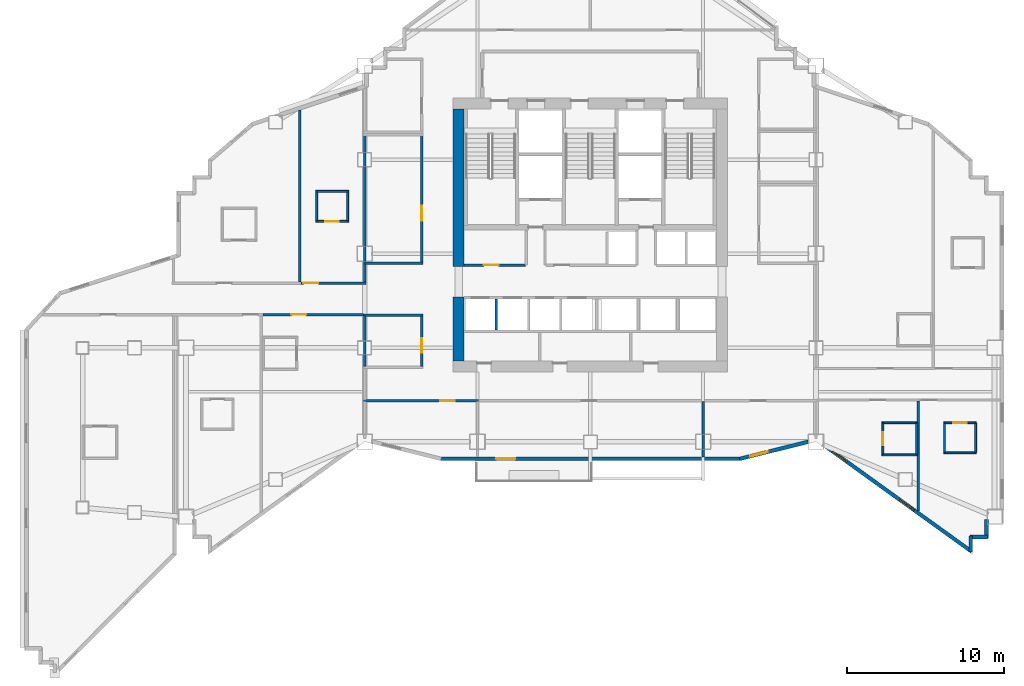
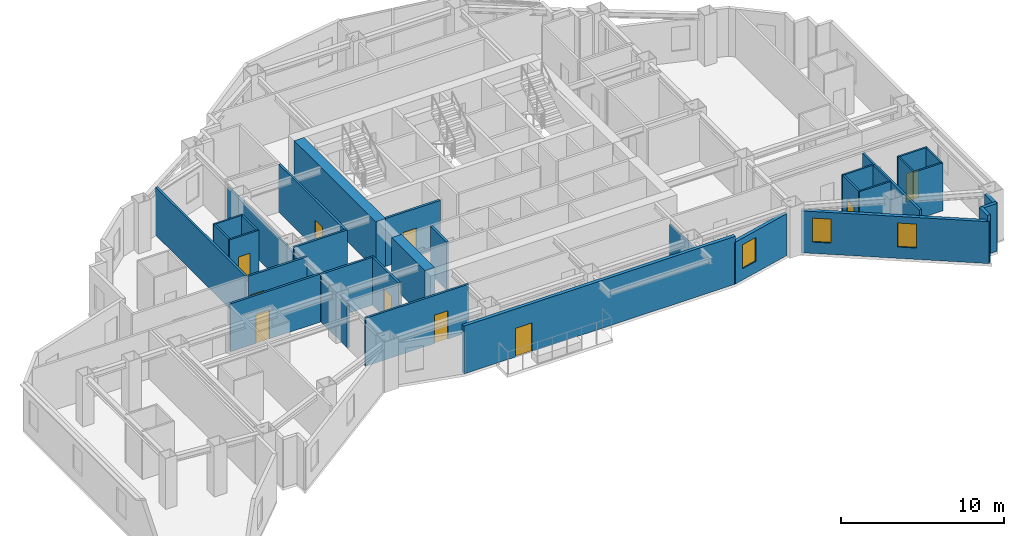
# One storey, part 6 of 14: 35 walls, 10 doors, 3 windows, 13 openings.
"""IFC4 building model written with IfcOpenShell, lengths in metres."""

from ifc_helpers import new_model, si_unit, direction, frame, frame_2d, origin, place, context, subcontext, project, spatial, rectangle, extrude, material, layer, layer_set, type_object, element, fill, save


model = new_model("IFC4")

# Units and contexts
model_context = context("Model", 3, precision=1e-05, world=origin(), true_north=direction((0.0, 1.0)))
body_context = subcontext(model_context, "Body", "Model", "MODEL_VIEW")
ifc_project = project(units=[si_unit("LENGTHUNIT", "METRE"), si_unit("AREAUNIT", "SQUARE_METRE"), si_unit("VOLUMEUNIT", "CUBIC_METRE"), si_unit("PLANEANGLEUNIT", "RADIAN"), si_unit("MASSUNIT", "GRAM", prefix="KILO")], contexts=[model_context])

# Site, building, storey
site_placement = place(None, origin())
site = spatial("IfcSite", under=ifc_project, at=site_placement, CompositionType="ELEMENT")
building_placement = place(site_placement, origin())
building = spatial("IfcBuilding", under=site, at=building_placement, Name="Haolan Belvedere Tower", CompositionType="ELEMENT")
storey_placement = place(building_placement, frame((0.0, 0.0, 113.60009765625)))
storey = spatial("IfcBuildingStorey", under=building, at=storey_placement, Name="L28", CompositionType="ELEMENT", Elevation=113.60009765625)

# Walls
ifc_material_1 = material(Name="Concrete C60/75", Category="concrete")
ifc_layer_1 = layer(ifc_material_1, 0.699951171875, Name="Concrete C60/75")
ifc_layer_set_1 = layer_set([ifc_layer_1], Name="Concrete C60/75")
wall_type_1 = type_object("IfcWallType", Name="WL-CORE-700", PredefinedType="SHEAR", material=ifc_layer_set_1)
wall_1_placement = place(storey_placement, frame((30.0, 26.75, 0.0), z_axis=(0.0, 0.0, 1.0), x_axis=(0.0, 1.0, 0.0)))
element("IfcWall", 1, at=wall_1_placement, inside=storey, type_object=wall_type_1, Name="L28 central core shear wall WS", PredefinedType="SHEAR", context=body_context, shape_type="SweptSolid", body=[
    extrude(rectangle(XDim=4.10009765625, YDim=0.699951171875, at=frame_2d((2.050048828125, 0.0))), origin(), (0.0, 0.0, 1.0), 3.599853515625),
])
wall_2_placement = place(storey_placement, frame((30.0, 32.800048828125, 0.0), z_axis=(0.0, 0.0, 1.0), x_axis=(0.0, 1.0, 0.0)))
element("IfcWall", 2, at=wall_2_placement, inside=storey, type_object=wall_type_1, Name="L28 central core shear wall WN", PredefinedType="SHEAR", context=body_context, shape_type="SweptSolid", body=[
    extrude(rectangle(XDim=10.050048828125, YDim=0.699951171875, at=frame_2d((5.02490234375, 0.0))), origin(), (0.0, 0.0, 1.0), 3.599853515625),
])

# Wall, opening, door
ifc_material_2 = material(Name="Precast concrete C40/50", Category="concrete")
ifc_layer_2 = layer(ifc_material_2, 0.239990234375, Name="Precast concrete C40/50")
ifc_layer_set_2 = layer_set([ifc_layer_2], Name="Precast concrete C40/50")
wall_type_2 = type_object("IfcWallType", Name="WL-EXT-240", PredefinedType="SOLIDWALL", material=ifc_layer_set_2)
wall_3_placement = place(storey_placement, frame((28.759765625, 20.52001953125, 0.0), z_axis=(0.0, 0.0, 1.0), x_axis=(1.0, 0.0, 0.0)))
wall_3 = element("IfcWall", 3, at=wall_3_placement, inside=storey, type_object=wall_type_2, Name="L28 pale-metal exterior spandrel wall 7.1", PredefinedType="SOLIDWALL", context=body_context, shape_type="SweptSolid", body=[
    extrude(rectangle(XDim=19.280517578125, YDim=0.239990234375, at=frame_2d((9.64013671875, 0.0))), origin(), (0.0, 0.0, 1.0), 3.599853515625),
])
opening_1_placement = place(wall_3_placement, frame((4.840087890625, 0.0, 0.0), z_axis=(0.0, 0.0, 1.0), x_axis=(-1.0, 0.0, 0.0)))
opening_1 = element("IfcOpeningElement", 4, at=opening_1_placement, cuts=wall_3, Name="Opening BD-01", PredefinedType="OPENING", context=body_context, shape_type="SweptSolid", body=[
    extrude(rectangle(XDim=1.199951171875, YDim=2.14990234375, at=frame_2d((0.60009765625, 1.074951171875))), frame((0.0, 0.1298828125, 0.0), z_axis=(0.0, -1.0, 0.0), x_axis=(1.0, 0.0, 0.0)), (0.0, 0.0, 1.0), 0.260009765625),
])
ifc_material_3 = material(Name="Thermally broken pale-metal aluminium and Low-E glass", Category="aluminium")
door_type_1 = type_object("IfcDoorType", Name="DR-BAL-1200", OperationType="NOTDEFINED", PredefinedType="DOOR", material=ifc_material_3)
door_1_placement = place(opening_1_placement, origin())
door_1 = element("IfcDoor", 5, at=door_1_placement, inside=storey, type_object=door_type_1, Name="L28 tree-balcony access door 1", OperationType="SINGLE_SWING_RIGHT", OverallHeight=2.14990234375, OverallWidth=1.199951171875, PredefinedType="DOOR", context=body_context, shape_type="SweptSolid", body=[
    extrude(rectangle(XDim=1.199951171875, YDim=2.14990234375, at=frame_2d((0.60009765625, 1.074951171875))), frame((0.0, 0.02490234375, 0.0), z_axis=(0.0, -1.0, 0.0), x_axis=(1.0, 0.0, 0.0)), (0.0, 0.0, 1.0), 0.050048828125),
])
fill(opening_1, door_1)

# Wall, opening, window
wall_4_placement = place(storey_placement, frame((47.931884765625, 20.506591796875, 0.0), z_axis=(0.0, 0.0, 1.0), x_axis=(0.970145683738, 0.242522890311, 0.0)))
wall_4 = element("IfcWall", 6, at=wall_4_placement, inside=storey, type_object=wall_type_2, Name="L28 pale-metal exterior spandrel wall 8.1", PredefinedType="SOLIDWALL", context=body_context, shape_type="SweptSolid", body=[
    extrude(rectangle(XDim=4.510986328125, YDim=0.239990234375, at=frame_2d((2.25537109375, 0.0))), origin(), (0.0, 0.0, 1.0), 3.14501953125),
])
opening_2_placement = place(wall_4_placement, frame((0.699951171875, 0.0, 0.85009765625)))
opening_2 = element("IfcOpeningElement", 7, at=opening_2_placement, cuts=wall_4, Name="Opening W-02", PredefinedType="OPENING", context=body_context, shape_type="SweptSolid", body=[
    extrude(rectangle(XDim=1.14990234375, YDim=1.800048828125, at=frame_2d((0.574951171875, 0.89990234375))), frame((0.0, 0.1298828125, 0.0), z_axis=(0.0, -1.0, 0.0), x_axis=(1.0, 0.0, 0.0)), (0.0, 0.0, 1.0), 0.260009765625),
])
ifc_material_4 = material(Name="Anodised aluminium 6063-T6 and Low-E glass", Category="aluminium")
window_type = type_object("IfcWindowType", Name="WN-DECO-Z2", PartitioningType="SINGLE_PANEL", PredefinedType="WINDOW", material=ifc_material_4)
window_1_placement = place(opening_2_placement, origin())
window_1 = element("IfcWindow", 8, at=window_1_placement, inside=storey, type_object=window_type, Name="L28 Art Deco chevron window 1", OverallHeight=1.800048828125, OverallWidth=1.14990234375, PartitioningType="SINGLE_PANEL", PredefinedType="WINDOW", context=body_context, shape_type="SweptSolid", body=[
    extrude(rectangle(XDim=1.14990234375, YDim=1.800048828125, at=frame_2d((0.574951171875, 0.89990234375))), frame((0.0, 0.030029296875, 0.0), z_axis=(0.0, -1.0, 0.0), x_axis=(1.0, 0.0, 0.0)), (0.0, 0.0, 1.0), 0.06005859375),
])
fill(opening_2, window_1)

# Wall, openings, windows
wall_5_placement = place(storey_placement, frame((53.2919921875, 21.3935546875, 0.0), z_axis=(0.0, 0.0, 1.0), x_axis=(0.811543504691, -0.584291998913, 0.0)))
wall_5 = element("IfcWall", 9, at=wall_5_placement, inside=storey, type_object=wall_type_2, Name="L28 pale-metal exterior spandrel wall 9.1", PredefinedType="SOLIDWALL", context=body_context, shape_type="SweptSolid", body=[
    extrude(rectangle(XDim=11.623046875, YDim=0.239990234375, at=frame_2d((5.8115234375, 0.0))), origin(), (0.0, 0.0, 1.0), 3.14501953125),
])
opening_3_placement = place(wall_5_placement, frame((0.699951171875, 0.0, 0.85009765625)))
opening_3 = element("IfcOpeningElement", 10, at=opening_3_placement, cuts=wall_5, Name="Opening W-02", PredefinedType="OPENING", context=body_context, shape_type="SweptSolid", body=[
    extrude(rectangle(XDim=1.14990234375, YDim=1.800048828125, at=frame_2d((0.574951171875, 0.89990234375))), frame((0.0, 0.1298828125, 0.0), z_axis=(0.0, -1.0, 0.0), x_axis=(1.0, 0.0, 0.0)), (0.0, 0.0, 1.0), 0.260009765625),
])
opening_4_placement = place(wall_5_placement, frame((5.96728515625, 0.0, 0.85009765625)))
opening_4 = element("IfcOpeningElement", 11, at=opening_4_placement, cuts=wall_5, Name="Opening W-02", PredefinedType="OPENING", context=body_context, shape_type="SweptSolid", body=[
    extrude(rectangle(XDim=1.14990234375, YDim=1.800048828125, at=frame_2d((0.574951171875, 0.89990234375))), frame((0.0, 0.1298828125, 0.0), z_axis=(0.0, -1.0, 0.0), x_axis=(1.0, 0.0, 0.0)), (0.0, 0.0, 1.0), 0.260009765625),
])
window_2_placement = place(opening_3_placement, origin())
window_2 = element("IfcWindow", 12, at=window_2_placement, inside=storey, type_object=window_type, Name="L28 Art Deco chevron window 1", OverallHeight=1.800048828125, OverallWidth=1.14990234375, PartitioningType="SINGLE_PANEL", PredefinedType="WINDOW", context=body_context, shape_type="SweptSolid", body=[
    extrude(rectangle(XDim=1.14990234375, YDim=1.800048828125, at=frame_2d((0.574951171875, 0.89990234375))), frame((0.0, 0.030029296875, 0.0), z_axis=(0.0, -1.0, 0.0), x_axis=(1.0, 0.0, 0.0)), (0.0, 0.0, 1.0), 0.06005859375),
])
fill(opening_3, window_2)
window_3_placement = place(opening_4_placement, origin())
window_3 = element("IfcWindow", 13, at=window_3_placement, inside=storey, type_object=window_type, Name="L28 Art Deco chevron window 2", OverallHeight=1.800048828125, OverallWidth=1.14990234375, PartitioningType="SINGLE_PANEL", PredefinedType="WINDOW", context=body_context, shape_type="SweptSolid", body=[
    extrude(rectangle(XDim=1.14990234375, YDim=1.800048828125, at=frame_2d((0.574951171875, 0.89990234375))), frame((0.0, 0.030029296875, 0.0), z_axis=(0.0, -1.0, 0.0), x_axis=(1.0, 0.0, 0.0)), (0.0, 0.0, 1.0), 0.06005859375),
])
fill(opening_4, window_3)

# Walls
wall_6_placement = place(storey_placement, frame((62.679931640625, 14.579345703125, 0.0), z_axis=(0.0, 0.0, 1.0), x_axis=(0.0, 1.0, 0.0)))
element("IfcWall", 14, at=wall_6_placement, inside=storey, type_object=wall_type_2, Name="L28 pale-metal exterior spandrel wall 10.1", PredefinedType="SOLIDWALL", context=body_context, shape_type="SweptSolid", body=[
    extrude(rectangle(XDim=0.99560546875, YDim=0.239990234375, at=frame_2d((0.497802734375, 0.0))), origin(), (0.0, 0.0, 1.0), 3.599853515625),
])
wall_7_placement = place(storey_placement, frame((62.625, 15.52001953125, 0.0), z_axis=(0.0, 0.0, 1.0), x_axis=(1.0, 0.0, 0.0)))
element("IfcWall", 15, at=wall_7_placement, inside=storey, type_object=wall_type_2, Name="L28 pale-metal exterior spandrel wall 11.1", PredefinedType="SOLIDWALL", context=body_context, shape_type="SweptSolid", body=[
    extrude(rectangle(XDim=1.110107421875, YDim=0.239990234375, at=frame_2d((0.55517578125, 0.0))), origin(), (0.0, 0.0, 1.0), 3.599853515625),
])
wall_8_placement = place(storey_placement, frame((63.679931640625, 15.465087890625, 0.0), z_axis=(0.0, 0.0, 1.0), x_axis=(0.0, 1.0, 0.0)))
element("IfcWall", 16, at=wall_8_placement, inside=storey, type_object=wall_type_2, Name="L28 pale-metal exterior spandrel wall 12.1", PredefinedType="SOLIDWALL", context=body_context, shape_type="SweptSolid", body=[
    extrude(rectangle(XDim=1.1748046875, YDim=0.239990234375, at=frame_2d((0.58740234375, 0.0))), origin(), (0.0, 0.0, 1.0), 3.599853515625),
])
ifc_material_5 = material(Name="Double gypsum acoustic stud partition", Category="masonry")
ifc_layer_3 = layer(ifc_material_5, 0.14990234375, Name="Double gypsum acoustic stud partition")
ifc_layer_set_3 = layer_set([ifc_layer_3], Name="Double gypsum acoustic stud partition")
wall_type_3 = type_object("IfcWallType", Name="WL-PART-150", PredefinedType="PARTITIONING", material=ifc_layer_set_3)
wall_9_placement = place(storey_placement, frame((23.919921875, 33.0, 0.0), z_axis=(0.0, 0.0, 1.0), x_axis=(1.0, 0.0, 0.0)))
element("IfcWall", 17, at=wall_9_placement, inside=storey, type_object=wall_type_3, Name="L28 interior partition IW-L28-SAL-S", PredefinedType="PARTITIONING", context=body_context, shape_type="SweptSolid", body=[
    extrude(rectangle(XDim=3.800048828125, YDim=0.14990234375, at=frame_2d((1.89990234375, 0.0))), origin(), (0.0, 0.0, 1.0), 3.599853515625),
])
wall_10_placement = place(storey_placement, frame((24.0, 33.06005859375, 0.0), z_axis=(0.0, 0.0, 1.0), x_axis=(0.0, 1.0, 0.0)))
element("IfcWall", 18, at=wall_10_placement, inside=storey, type_object=wall_type_3, Name="L28 interior partition IW-L28-SAL-W", PredefinedType="PARTITIONING", context=body_context, shape_type="SweptSolid", body=[
    extrude(rectangle(XDim=8.079833984375, YDim=0.14990234375, at=frame_2d((4.0400390625, 0.0))), origin(), (0.0, 0.0, 1.0), 3.14501953125),
])

# Wall, opening, door
wall_11_placement = place(storey_placement, frame((27.639892578125, 33.06005859375, 0.0), z_axis=(0.0, 0.0, 1.0), x_axis=(0.0, 1.0, 0.0)))
wall_11 = element("IfcWall", 19, at=wall_11_placement, inside=storey, type_object=wall_type_3, Name="L28 interior partition IW-L28-SAL-E", PredefinedType="PARTITIONING", context=body_context, shape_type="SweptSolid", body=[
    extrude(rectangle(XDim=8.079833984375, YDim=0.14990234375, at=frame_2d((4.0400390625, 0.0))), origin(), (0.0, 0.0, 1.0), 3.599853515625),
])
opening_5_placement = place(wall_11_placement, frame((3.60986328125, 0.0, 0.0), z_axis=(0.0, 0.0, 1.0), x_axis=(-1.0, 0.0, 0.0)))
opening_5 = element("IfcOpeningElement", 20, at=opening_5_placement, cuts=wall_11, Name="Opening ID-03", PredefinedType="OPENING", context=body_context, shape_type="SweptSolid", body=[
    extrude(rectangle(XDim=0.949951171875, YDim=2.1201171875, at=frame_2d((0.47509765625, 1.06005859375))), frame((0.0, 0.0849609375, 0.0), z_axis=(0.0, -1.0, 0.0), x_axis=(1.0, 0.0, 0.0)), (0.0, 0.0, 1.0), 0.169921875),
])
ifc_material_6 = material(Name="Painted solid-core timber", Category="wood")
door_type_2 = type_object("IfcDoorType", Name="DR-INT-950", OperationType="NOTDEFINED", PredefinedType="DOOR", material=ifc_material_6)
door_2_placement = place(opening_5_placement, origin())
door_2 = element("IfcDoor", 21, at=door_2_placement, inside=storey, type_object=door_type_2, Name="L28 door ID-L28-SAL", OperationType="SINGLE_SWING_LEFT", OverallHeight=2.1201171875, OverallWidth=0.949951171875, PredefinedType="DOOR", context=body_context, shape_type="SweptSolid", body=[
    extrude(rectangle(XDim=0.949951171875, YDim=2.1201171875, at=frame_2d((0.47509765625, 1.06005859375))), frame((0.0, 0.02490234375, 0.0), z_axis=(0.0, -1.0, 0.0), x_axis=(1.0, 0.0, 0.0)), (0.0, 0.0, 1.0), 0.050048828125),
])
fill(opening_5, door_2)

# Walls
wall_12_placement = place(storey_placement, frame((23.919921875, 29.679931640625, 0.0), z_axis=(0.0, 0.0, 1.0), x_axis=(1.0, 0.0, 0.0)))
element("IfcWall", 22, at=wall_12_placement, inside=storey, type_object=wall_type_3, Name="L28 interior partition IW-L28-PKTW-N", PredefinedType="PARTITIONING", context=body_context, shape_type="SweptSolid", body=[
    extrude(rectangle(XDim=3.800048828125, YDim=0.14990234375, at=frame_2d((1.89990234375, 0.0))), origin(), (0.0, 0.0, 1.0), 3.599853515625),
])
wall_13_placement = place(storey_placement, frame((24.0, 26.409912109375, 0.0), z_axis=(0.0, 0.0, 1.0), x_axis=(0.0, 1.0, 0.0)))
element("IfcWall", 23, at=wall_13_placement, inside=storey, type_object=wall_type_3, Name="L28 interior partition IW-L28-PKTW-W", PredefinedType="PARTITIONING", context=body_context, shape_type="SweptSolid", body=[
    extrude(rectangle(XDim=3.210205078125, YDim=0.14990234375, at=frame_2d((1.60498046875, 0.0))), origin(), (0.0, 0.0, 1.0), 3.14501953125),
])

# Wall, opening, door
wall_14_placement = place(storey_placement, frame((27.639892578125, 26.409912109375, 0.0), z_axis=(0.0, 0.0, 1.0), x_axis=(0.0, 1.0, 0.0)))
wall_14 = element("IfcWall", 24, at=wall_14_placement, inside=storey, type_object=wall_type_3, Name="L28 interior partition IW-L28-PKTW-E", PredefinedType="PARTITIONING", context=body_context, shape_type="SweptSolid", body=[
    extrude(rectangle(XDim=3.210205078125, YDim=0.14990234375, at=frame_2d((1.60498046875, 0.0))), origin(), (0.0, 0.0, 1.0), 3.599853515625),
])
opening_6_placement = place(wall_14_placement, frame((1.81005859375, 0.0, 0.0), z_axis=(0.0, 0.0, 1.0), x_axis=(-1.0, 0.0, 0.0)))
opening_6 = element("IfcOpeningElement", 25, at=opening_6_placement, cuts=wall_14, Name="Opening ID-03", PredefinedType="OPENING", context=body_context, shape_type="SweptSolid", body=[
    extrude(rectangle(XDim=0.949951171875, YDim=2.1201171875, at=frame_2d((0.47509765625, 1.06005859375))), frame((0.0, 0.0849609375, 0.0), z_axis=(0.0, -1.0, 0.0), x_axis=(1.0, 0.0, 0.0)), (0.0, 0.0, 1.0), 0.169921875),
])
door_3_placement = place(opening_6_placement, origin())
door_3 = element("IfcDoor", 26, at=door_3_placement, inside=storey, type_object=door_type_2, Name="L28 door ID-L28-PKTW", OperationType="SINGLE_SWING_LEFT", OverallHeight=2.1201171875, OverallWidth=0.949951171875, PredefinedType="DOOR", context=body_context, shape_type="SweptSolid", body=[
    extrude(rectangle(XDim=0.949951171875, YDim=2.1201171875, at=frame_2d((0.47509765625, 1.06005859375))), frame((0.0, 0.02490234375, 0.0), z_axis=(0.0, -1.0, 0.0), x_axis=(1.0, 0.0, 0.0)), (0.0, 0.0, 1.0), 0.050048828125),
])
fill(opening_6, door_3)

wall_15_placement = place(storey_placement, frame((23.919921875, 24.219970703125, 0.0), z_axis=(0.0, 0.0, 1.0), x_axis=(1.0, 0.0, 0.0)))
wall_15 = element("IfcWall", 27, at=wall_15_placement, inside=storey, type_object=wall_type_3, Name="L28 interior partition IW-L28-KS1-N", PredefinedType="PARTITIONING", context=body_context, shape_type="SweptSolid", body=[
    extrude(rectangle(XDim=7.360107421875, YDim=0.14990234375, at=frame_2d((3.68017578125, 0.0))), origin(), (0.0, 0.0, 1.0), 3.599853515625),
])
opening_7_placement = place(wall_15_placement, frame((5.844970703125, 0.0, 0.0), z_axis=(0.0, 0.0, 1.0), x_axis=(-1.0, 0.0, 0.0)))
opening_7 = element("IfcOpeningElement", 28, at=opening_7_placement, cuts=wall_15, Name="Opening ID-03", PredefinedType="OPENING", context=body_context, shape_type="SweptSolid", body=[
    extrude(rectangle(XDim=0.949951171875, YDim=2.1201171875, at=frame_2d((0.47509765625, 1.06005859375))), frame((0.0, 0.0849609375, 0.0), z_axis=(0.0, -1.0, 0.0), x_axis=(1.0, 0.0, 0.0)), (0.0, 0.0, 1.0), 0.169921875),
])
door_4_placement = place(opening_7_placement, origin())
door_4 = element("IfcDoor", 29, at=door_4_placement, inside=storey, type_object=door_type_2, Name="L28 door ID-L28-KS1", OperationType="SINGLE_SWING_RIGHT", OverallHeight=2.1201171875, OverallWidth=0.949951171875, PredefinedType="DOOR", context=body_context, shape_type="SweptSolid", body=[
    extrude(rectangle(XDim=0.949951171875, YDim=2.1201171875, at=frame_2d((0.47509765625, 1.06005859375))), frame((0.0, 0.02490234375, 0.0), z_axis=(0.0, -1.0, 0.0), x_axis=(1.0, 0.0, 0.0)), (0.0, 0.0, 1.0), 0.050048828125),
])
fill(opening_7, door_4)

# Walls
wall_16_placement = place(storey_placement, frame((45.60009765625, 20.625, 0.0), z_axis=(0.0, 0.0, 1.0), x_axis=(0.0, 1.0, 0.0)))
element("IfcWall", 30, at=wall_16_placement, inside=storey, type_object=wall_type_3, Name="L28 interior partition IW-L28-KS2-E", PredefinedType="PARTITIONING", context=body_context, shape_type="SweptSolid", body=[
    extrude(rectangle(XDim=3.534912109375, YDim=0.14990234375, at=frame_2d((1.767578125, 0.0))), origin(), (0.0, 0.0, 1.0), 3.0849609375),
])
wall_17_placement = place(storey_placement, frame((19.85009765625, 31.7900390625, 0.0), z_axis=(0.0, 0.0, 1.0), x_axis=(0.0, 1.0, 0.0)))
element("IfcWall", 31, at=wall_17_placement, inside=storey, type_object=wall_type_3, Name="L28 interior partition IW-L28-T2N1-E", PredefinedType="PARTITIONING", context=body_context, shape_type="SweptSolid", body=[
    extrude(rectangle(XDim=10.989501953125, YDim=0.14990234375, at=frame_2d((5.49462890625, 0.0))), origin(), (0.0, 0.0, 1.0), 3.599853515625),
])

# Wall, opening, door
wall_18_placement = place(storey_placement, frame((19.951904296875, 31.72998046875, 0.0), z_axis=(0.0, 0.0, 1.0), x_axis=(1.0, 0.0, 0.0)))
wall_18 = element("IfcWall", 32, at=wall_18_placement, inside=storey, type_object=wall_type_3, Name="L28 interior partition IW-L28-T2N2-S", PredefinedType="PARTITIONING", context=body_context, shape_type="SweptSolid", body=[
    extrude(rectangle(XDim=4.148193359375, YDim=0.14990234375, at=frame_2d((2.07421875, 0.0))), origin(), (0.0, 0.0, 1.0), 3.599853515625),
])
opening_8_placement = place(wall_18_placement, frame((0.139892578125, 0.0, 0.0)))
opening_8 = element("IfcOpeningElement", 33, at=opening_8_placement, cuts=wall_18, Name="Opening ID-02", PredefinedType="OPENING", context=body_context, shape_type="SweptSolid", body=[
    extrude(rectangle(XDim=0.949951171875, YDim=2.14990234375, at=frame_2d((0.47509765625, 1.074951171875))), frame((0.0, 0.0849609375, 0.0), z_axis=(0.0, -1.0, 0.0), x_axis=(1.0, 0.0, 0.0)), (0.0, 0.0, 1.0), 0.169921875),
])
ifc_material_7 = material(Name="Acoustic oak veneer fire-rated timber", Category="wood")
door_type_3 = type_object("IfcDoorType", Name="DR-GUEST-950", OperationType="NOTDEFINED", PredefinedType="DOOR", material=ifc_material_7)
door_5_placement = place(opening_8_placement, origin())
door_5 = element("IfcDoor", 34, at=door_5_placement, inside=storey, type_object=door_type_3, Name="L28 door ID-L28-T2N2-ENT", OperationType="SINGLE_SWING_RIGHT", OverallHeight=2.14990234375, OverallWidth=0.949951171875, PredefinedType="DOOR", context=body_context, shape_type="SweptSolid", body=[
    extrude(rectangle(XDim=0.949951171875, YDim=2.14990234375, at=frame_2d((0.47509765625, 1.074951171875))), frame((0.0, 0.02490234375, 0.0), z_axis=(0.0, -1.0, 0.0), x_axis=(1.0, 0.0, 0.0)), (0.0, 0.0, 1.0), 0.050048828125),
])
fill(opening_8, door_5)

# Wall
wall_19_placement = place(storey_placement, frame((24.0, 31.7900390625, 0.0), z_axis=(0.0, 0.0, 1.0), x_axis=(0.0, 1.0, 0.0)))
element("IfcWall", 35, at=wall_19_placement, inside=storey, type_object=wall_type_3, Name="L28 interior partition IW-L28-T2N2-E", PredefinedType="PARTITIONING", context=body_context, shape_type="SweptSolid", body=[
    extrude(rectangle(XDim=1.14990234375, YDim=0.14990234375, at=frame_2d((0.574951171875, 0.0))), origin(), (0.0, 0.0, 1.0), 3.14501953125),
])

# Wall, opening, door
wall_20_placement = place(storey_placement, frame((17.511962890625, 29.719970703125, 0.0), z_axis=(0.0, 0.0, 1.0), x_axis=(1.0, 0.0, 0.0)))
wall_20 = element("IfcWall", 36, at=wall_20_placement, inside=storey, type_object=wall_type_3, Name="L28 interior partition IW-L28-T2S2-N", PredefinedType="PARTITIONING", context=body_context, shape_type="SweptSolid", body=[
    extrude(rectangle(XDim=6.406005859375, YDim=0.14990234375, at=frame_2d((3.203125, 0.0))), origin(), (0.0, 0.0, 1.0), 3.599853515625),
])
opening_9_placement = place(wall_20_placement, frame((2.754638671875, 0.0, 0.0), z_axis=(0.0, 0.0, 1.0), x_axis=(-1.0, 0.0, 0.0)))
opening_9 = element("IfcOpeningElement", 37, at=opening_9_placement, cuts=wall_20, Name="Opening ID-01", PredefinedType="OPENING", context=body_context, shape_type="SweptSolid", body=[
    extrude(rectangle(XDim=0.949951171875, YDim=2.179931640625, at=frame_2d((0.47509765625, 1.08984375))), frame((0.0, 0.0849609375, 0.0), z_axis=(0.0, -1.0, 0.0), x_axis=(1.0, 0.0, 0.0)), (0.0, 0.0, 1.0), 0.169921875),
])
ifc_material_8 = material(Name="Acoustic walnut veneer fire-rated timber", Category="wood")
door_type_4 = type_object("IfcDoorType", Name="DR-SUITE-950", OperationType="NOTDEFINED", PredefinedType="DOOR", material=ifc_material_8)
door_6_placement = place(opening_9_placement, origin())
door_6 = element("IfcDoor", 38, at=door_6_placement, inside=storey, type_object=door_type_4, Name="L28 door ID-L28-T2S2-ENT", OperationType="SINGLE_SWING_RIGHT", OverallHeight=2.179931640625, OverallWidth=0.949951171875, PredefinedType="DOOR", context=body_context, shape_type="SweptSolid", body=[
    extrude(rectangle(XDim=0.949951171875, YDim=2.179931640625, at=frame_2d((0.47509765625, 1.08984375))), frame((0.0, 0.02490234375, 0.0), z_axis=(0.0, -1.0, 0.0), x_axis=(1.0, 0.0, 0.0)), (0.0, 0.0, 1.0), 0.050048828125),
])
fill(opening_9, door_6)

# Wall
wall_21_placement = place(storey_placement, frame((59.320068359375, 17.182861328125, 0.0), z_axis=(0.0, 0.0, 1.0), x_axis=(0.0, 1.0, 0.0)))
element("IfcWall", 39, at=wall_21_placement, inside=storey, type_object=wall_type_3, Name="L28 interior partition IW-L28-T4S1-E", PredefinedType="PARTITIONING", context=body_context, shape_type="SweptSolid", body=[
    extrude(rectangle(XDim=7.027099609375, YDim=0.14990234375, at=frame_2d((3.513671875, 0.0))), origin(), (0.0, 0.0, 1.0), 3.599853515625),
])

# Wall, opening, door
ifc_material_9 = material(Name="Gypsum fire shaftwall assembly", Category="masonry")
ifc_layer_4 = layer(ifc_material_9, 0.1650390625, Name="Gypsum fire shaftwall assembly")
ifc_layer_set_4 = layer_set([ifc_layer_4], Name="Gypsum fire shaftwall assembly")
wall_type_4 = type_object("IfcWallType", Name="WL-SHAFT-160", PredefinedType="SOLIDWALL", material=ifc_layer_set_4)
wall_22_placement = place(storey_placement, frame((30.35009765625, 32.8798828125, 0.0), z_axis=(0.0, 0.0, 1.0), x_axis=(1.0, 0.0, 0.0)))
wall_22 = element("IfcWall", 40, at=wall_22_placement, inside=storey, type_object=wall_type_4, Name="L28 interior partition IW-L28-ROW-PN1", PredefinedType="SOLIDWALL", context=body_context, shape_type="SweptSolid", body=[
    extrude(rectangle(XDim=3.89990234375, YDim=0.159912109375, at=frame_2d((1.949951171875, 0.0))), origin(), (0.0, 0.0, 1.0), 3.599853515625),
])
opening_10_placement = place(wall_22_placement, frame((2.199951171875, 0.0, 0.0), z_axis=(0.0, 0.0, 1.0), x_axis=(-1.0, 0.0, 0.0)))
opening_10 = element("IfcOpeningElement", 41, at=opening_10_placement, cuts=wall_22, Name="Opening ID-03", PredefinedType="OPENING", context=body_context, shape_type="SweptSolid", body=[
    extrude(rectangle(XDim=0.949951171875, YDim=2.1201171875, at=frame_2d((0.47509765625, 1.06005859375))), frame((0.0, 0.08984375, 0.0), z_axis=(0.0, -1.0, 0.0), x_axis=(1.0, 0.0, 0.0)), (0.0, 0.0, 1.0), 0.179931640625),
])
door_7_placement = place(opening_10_placement, origin())
door_7 = element("IfcDoor", 42, at=door_7_placement, inside=storey, type_object=door_type_2, Name="L28 door ID-L28-CD-RPLW", OperationType="SINGLE_SWING_LEFT", OverallHeight=2.1201171875, OverallWidth=0.949951171875, PredefinedType="DOOR", context=body_context, shape_type="SweptSolid", body=[
    extrude(rectangle(XDim=0.949951171875, YDim=2.1201171875, at=frame_2d((0.47509765625, 1.06005859375))), frame((0.0, 0.02490234375, 0.0), z_axis=(0.0, -1.0, 0.0), x_axis=(1.0, 0.0, 0.0)), (0.0, 0.0, 1.0), 0.050048828125),
])
fill(opening_10, door_7)

# Walls
wall_23_placement = place(storey_placement, frame((32.39990234375, 28.735107421875, 0.0), z_axis=(0.0, 0.0, 1.0), x_axis=(0.0, 1.0, 0.0)))
element("IfcWall", 43, at=wall_23_placement, inside=storey, type_object=wall_type_4, Name="L28 interior partition IW-L28-DIV-PM1", PredefinedType="SOLIDWALL", context=body_context, shape_type="SweptSolid", body=[
    extrude(rectangle(XDim=1.98486328125, YDim=0.14990234375, at=frame_2d((0.992431640625, 0.0))), origin(), (0.0, 0.0, 1.0), 3.599853515625),
])
ifc_material_10 = material(Name="Moisture-resistant gypsum tile partition", Category="masonry")
ifc_layer_5 = layer(ifc_material_10, 0.1201171875, Name="Moisture-resistant gypsum tile partition")
ifc_layer_set_5 = layer_set([ifc_layer_5], Name="Moisture-resistant gypsum tile partition")
wall_type_5 = type_object("IfcWallType", Name="WL-WET-120", PredefinedType="PARTITIONING", material=ifc_layer_set_5)
wall_24_placement = place(storey_placement, frame((20.875, 37.5849609375, 0.0), z_axis=(0.0, 0.0, 1.0), x_axis=(1.0, 0.0, 0.0)))
element("IfcWall", 44, at=wall_24_placement, inside=storey, type_object=wall_type_5, Name="L28 interior partition IW-L28-T2N2-BN", PredefinedType="PARTITIONING", context=body_context, shape_type="SweptSolid", body=[
    extrude(rectangle(XDim=2.10009765625, YDim=0.1201171875, at=frame_2d((1.050048828125, 0.0))), origin(), (0.0, 0.0, 1.0), 3.599853515625),
])

# Wall, opening, door
wall_25_placement = place(storey_placement, frame((20.875, 35.6650390625, 0.0), z_axis=(0.0, 0.0, 1.0), x_axis=(1.0, 0.0, 0.0)))
wall_25 = element("IfcWall", 45, at=wall_25_placement, inside=storey, type_object=wall_type_5, Name="L28 interior partition IW-L28-T2N2-BS", PredefinedType="PARTITIONING", context=body_context, shape_type="SweptSolid", body=[
    extrude(rectangle(XDim=2.10009765625, YDim=0.1201171875, at=frame_2d((1.050048828125, 0.0))), origin(), (0.0, 0.0, 1.0), 3.599853515625),
])
opening_11_placement = place(wall_25_placement, frame((0.625, 0.0, 0.0)))
opening_11 = element("IfcOpeningElement", 46, at=opening_11_placement, cuts=wall_25, Name="Opening ID-05", PredefinedType="OPENING", context=body_context, shape_type="SweptSolid", body=[
    extrude(rectangle(XDim=0.85009765625, YDim=2.10009765625, at=frame_2d((0.425048828125, 1.050048828125))), frame((0.0, 0.070068359375, 0.0), z_axis=(0.0, -1.0, 0.0), x_axis=(1.0, 0.0, 0.0)), (0.0, 0.0, 1.0), 0.14013671875),
])
ifc_material_11 = material(Name="Moisture-resistant lacquered timber", Category="wood")
door_type_5 = type_object("IfcDoorType", Name="DR-BATH-850", OperationType="NOTDEFINED", PredefinedType="DOOR", material=ifc_material_11)
door_8_placement = place(opening_11_placement, origin())
door_8 = element("IfcDoor", 47, at=door_8_placement, inside=storey, type_object=door_type_5, Name="L28 door ID-L28-T2N2-BATH", OperationType="SINGLE_SWING_LEFT", OverallHeight=2.10009765625, OverallWidth=0.85009765625, PredefinedType="DOOR", context=body_context, shape_type="SweptSolid", body=[
    extrude(rectangle(XDim=0.85009765625, YDim=2.10009765625, at=frame_2d((0.425048828125, 1.050048828125))), frame((0.0, 0.02490234375, 0.0), z_axis=(0.0, -1.0, 0.0), x_axis=(1.0, 0.0, 0.0)), (0.0, 0.0, 1.0), 0.050048828125),
])
fill(opening_11, door_8)

# Walls
for number, where, z_axis, x_axis, name in (
    (48, (20.93505859375, 35.7099609375, 0.0), (0.0, 0.0, 1.0), (0.0, 1.0, 0.0), "L28 interior partition IW-L28-T2N2-BW"),
    (49, (22.9150390625, 35.7099609375, 0.0), (0.0, 0.0, 1.0), (0.0, 1.0, 0.0), "L28 interior partition IW-L28-T2N2-BE"),
):
    element("IfcWall", number, at=place(storey_placement, frame(where, z_axis=z_axis, x_axis=x_axis)), inside=storey, type_object=wall_type_5, Name=name, PredefinedType="PARTITIONING", context=body_context, shape_type="SweptSolid", body=[
        extrude(rectangle(XDim=1.830078125, YDim=0.1201171875, at=frame_2d((0.9150390625, 0.0))), origin(), (0.0, 0.0, 1.0), 3.599853515625),
    ])
for number, where, z_axis, x_axis, name in (
    (50, (57.010009765625, 22.820068359375, 0.0), (0.0, 0.0, 1.0), (1.0, 0.0, 0.0), "L28 interior partition IW-L28-T4S1-BN"),
    (51, (57.010009765625, 20.77001953125, 0.0), (0.0, 0.0, 1.0), (1.0, 0.0, 0.0), "L28 interior partition IW-L28-T4S1-BS"),
):
    element("IfcWall", number, at=place(storey_placement, frame(where, z_axis=z_axis, x_axis=x_axis)), inside=storey, type_object=wall_type_5, Name=name, PredefinedType="PARTITIONING", context=body_context, shape_type="SweptSolid", body=[
        extrude(rectangle(XDim=2.25, YDim=0.1201171875, at=frame_2d((1.125, 0.0))), origin(), (0.0, 0.0, 1.0), 3.599853515625),
    ])

# Wall, opening, door
wall_26_placement = place(storey_placement, frame((57.070068359375, 20.81494140625, 0.0), z_axis=(0.0, 0.0, 1.0), x_axis=(0.0, 1.0, 0.0)))
wall_26 = element("IfcWall", 52, at=wall_26_placement, inside=storey, type_object=wall_type_5, Name="L28 interior partition IW-L28-T4S1-BW", PredefinedType="PARTITIONING", context=body_context, shape_type="SweptSolid", body=[
    extrude(rectangle(XDim=1.9599609375, YDim=0.1201171875, at=frame_2d((0.97998046875, 0.0))), origin(), (0.0, 0.0, 1.0), 3.599853515625),
])
opening_12_placement = place(wall_26_placement, frame((1.405029296875, 0.0, 0.0), z_axis=(0.0, 0.0, 1.0), x_axis=(-1.0, 0.0, 0.0)))
opening_12 = element("IfcOpeningElement", 53, at=opening_12_placement, cuts=wall_26, Name="Opening ID-05", PredefinedType="OPENING", context=body_context, shape_type="SweptSolid", body=[
    extrude(rectangle(XDim=0.85009765625, YDim=2.10009765625, at=frame_2d((0.425048828125, 1.050048828125))), frame((0.0, 0.070068359375, 0.0), z_axis=(0.0, -1.0, 0.0), x_axis=(1.0, 0.0, 0.0)), (0.0, 0.0, 1.0), 0.14013671875),
])
door_9_placement = place(opening_12_placement, origin())
door_9 = element("IfcDoor", 54, at=door_9_placement, inside=storey, type_object=door_type_5, Name="L28 door ID-L28-T4S1-BATH", OperationType="SINGLE_SWING_RIGHT", OverallHeight=2.10009765625, OverallWidth=0.85009765625, PredefinedType="DOOR", context=body_context, shape_type="SweptSolid", body=[
    extrude(rectangle(XDim=0.85009765625, YDim=2.10009765625, at=frame_2d((0.425048828125, 1.050048828125))), frame((0.0, 0.02490234375, 0.0), z_axis=(0.0, -1.0, 0.0), x_axis=(1.0, 0.0, 0.0)), (0.0, 0.0, 1.0), 0.050048828125),
])
fill(opening_12, door_9)

# Wall
wall_27_placement = place(storey_placement, frame((59.219970703125, 20.81494140625, 0.0), z_axis=(0.0, 0.0, 1.0), x_axis=(0.0, 1.0, 0.0)))
element("IfcWall", 55, at=wall_27_placement, inside=storey, type_object=wall_type_5, Name="L28 interior partition IW-L28-T4S1-BE", PredefinedType="PARTITIONING", context=body_context, shape_type="SweptSolid", body=[
    extrude(rectangle(XDim=1.9599609375, YDim=0.1201171875, at=frame_2d((0.97998046875, 0.0))), origin(), (0.0, 0.0, 1.0), 3.599853515625),
])

# Wall, opening, door
wall_28_placement = place(storey_placement, frame((60.945068359375, 22.820068359375, 0.0), z_axis=(0.0, 0.0, 1.0), x_axis=(1.0, 0.0, 0.0)))
wall_28 = element("IfcWall", 56, at=wall_28_placement, inside=storey, type_object=wall_type_5, Name="L28 interior partition IW-L28-T4S2-BN", PredefinedType="PARTITIONING", context=body_context, shape_type="SweptSolid", body=[
    extrude(rectangle(XDim=2.099853515625, YDim=0.1201171875, at=frame_2d((1.0498046875, 0.0))), origin(), (0.0, 0.0, 1.0), 3.599853515625),
])
opening_13_placement = place(wall_28_placement, frame((1.47509765625, 0.0, 0.0), z_axis=(0.0, 0.0, 1.0), x_axis=(-1.0, 0.0, 0.0)))
opening_13 = element("IfcOpeningElement", 57, at=opening_13_placement, cuts=wall_28, Name="Opening ID-05", PredefinedType="OPENING", context=body_context, shape_type="SweptSolid", body=[
    extrude(rectangle(XDim=0.85009765625, YDim=2.10009765625, at=frame_2d((0.425048828125, 1.050048828125))), frame((0.0, 0.070068359375, 0.0), z_axis=(0.0, -1.0, 0.0), x_axis=(1.0, 0.0, 0.0)), (0.0, 0.0, 1.0), 0.14013671875),
])
door_10_placement = place(opening_13_placement, origin())
door_10 = element("IfcDoor", 58, at=door_10_placement, inside=storey, type_object=door_type_5, Name="L28 door ID-L28-T4S2-BATH", OperationType="SINGLE_SWING_LEFT", OverallHeight=2.10009765625, OverallWidth=0.85009765625, PredefinedType="DOOR", context=body_context, shape_type="SweptSolid", body=[
    extrude(rectangle(XDim=0.85009765625, YDim=2.10009765625, at=frame_2d((0.425048828125, 1.050048828125))), frame((0.0, 0.02490234375, 0.0), z_axis=(0.0, -1.0, 0.0), x_axis=(1.0, 0.0, 0.0)), (0.0, 0.0, 1.0), 0.050048828125),
])
fill(opening_13, door_10)

# Walls
wall_29_placement = place(storey_placement, frame((60.945068359375, 20.89990234375, 0.0), z_axis=(0.0, 0.0, 1.0), x_axis=(1.0, 0.0, 0.0)))
element("IfcWall", 59, at=wall_29_placement, inside=storey, type_object=wall_type_5, Name="L28 interior partition IW-L28-T4S2-BS", PredefinedType="PARTITIONING", context=body_context, shape_type="SweptSolid", body=[
    extrude(rectangle(XDim=2.099853515625, YDim=0.1201171875, at=frame_2d((1.0498046875, 0.0))), origin(), (0.0, 0.0, 1.0), 3.599853515625),
])
for number, where, z_axis, x_axis, name in (
    (60, (61.0048828125, 20.945068359375, 0.0), (0.0, 0.0, 1.0), (0.0, 1.0, 0.0), "L28 interior partition IW-L28-T4S2-BW"),
    (61, (62.985107421875, 20.945068359375, 0.0), (0.0, 0.0, 1.0), (0.0, 1.0, 0.0), "L28 interior partition IW-L28-T4S2-BE"),
):
    element("IfcWall", number, at=place(storey_placement, frame(where, z_axis=z_axis, x_axis=x_axis)), inside=storey, type_object=wall_type_5, Name=name, PredefinedType="PARTITIONING", context=body_context, shape_type="SweptSolid", body=[
        extrude(rectangle(XDim=1.829833984375, YDim=0.1201171875, at=frame_2d((0.9150390625, 0.0))), origin(), (0.0, 0.0, 1.0), 3.599853515625),
    ])

save(model, "model.ifc")
